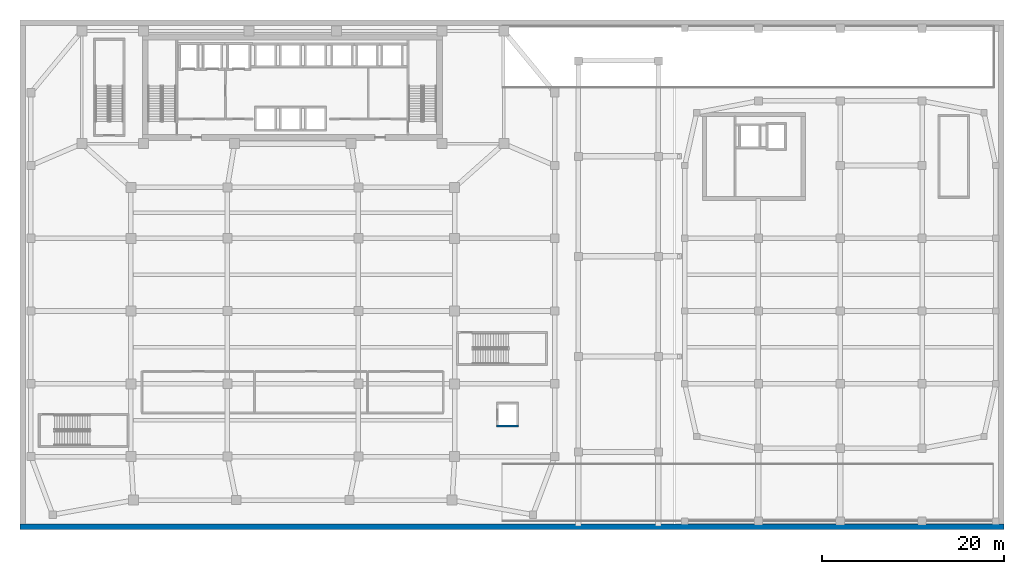
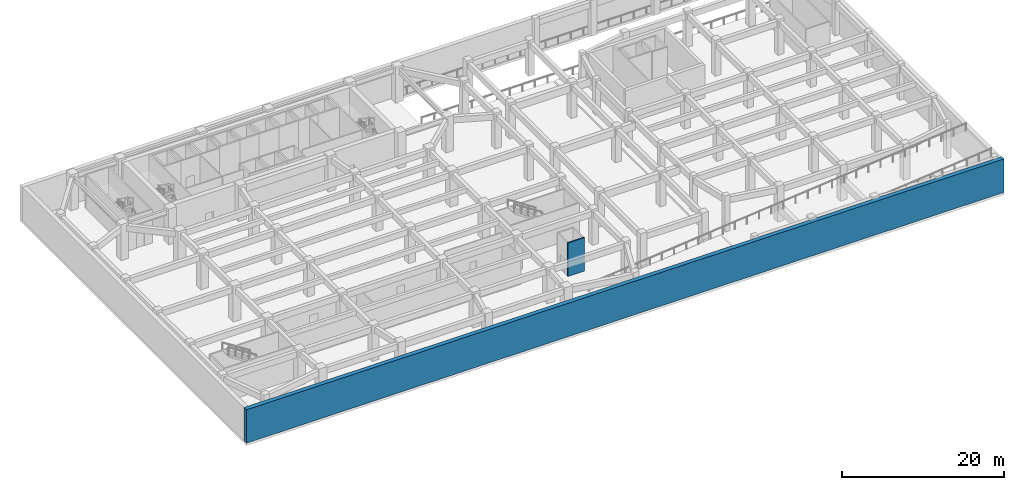
# One storey, part 5 of 14: 2 walls.
"""IFC4 building model written with IfcOpenShell, lengths in metres."""

from ifc_helpers import new_model, si_unit, direction, frame, frame_2d, origin, place, context, subcontext, project, spatial, rectangle, extrude, material, layer, layer_set, type_object, element, save


model = new_model("IFC4")

# Units and contexts
model_context = context("Model", 3, precision=1e-05, world=origin(), true_north=direction((0.0, 1.0)))
body_context = subcontext(model_context, "Body", "Model", "MODEL_VIEW")
ifc_project = project(units=[si_unit("LENGTHUNIT", "METRE"), si_unit("AREAUNIT", "SQUARE_METRE"), si_unit("VOLUMEUNIT", "CUBIC_METRE"), si_unit("PLANEANGLEUNIT", "RADIAN"), si_unit("MASSUNIT", "GRAM", prefix="KILO")], contexts=[model_context])

# Site, building, storey
site_placement = place(None, origin())
site = spatial("IfcSite", under=ifc_project, at=site_placement, CompositionType="ELEMENT")
building_placement = place(site_placement, origin())
building = spatial("IfcBuilding", under=site, at=building_placement, Name="Saevonmaru Cultural Tower", CompositionType="ELEMENT")
storey_placement = place(building_placement, frame((0.0, 0.0, -5.39990234375)))
storey = spatial("IfcBuildingStorey", under=building, at=storey_placement, Name="B1", CompositionType="ELEMENT", Elevation=-5.39990234375)

# Walls
ifc_material_1 = material(Name="Concrete C50/60", Category="concrete")
ifc_layer_1 = layer(ifc_material_1, 0.60009765625, Name="Concrete C50/60")
ifc_layer_set_1 = layer_set([ifc_layer_1], Name="Concrete C50/60")
wall_type_1 = type_object("IfcWallType", Name="WL-RET-600", PredefinedType="USERDEFINED", material=ifc_layer_set_1)
wall_1_placement = place(storey_placement, frame((0.0, 0.300048828125, 0.0), z_axis=(0.0, 0.0, 1.0), x_axis=(1.0, 0.0, 0.0)))
element("IfcWall", 1, at=wall_1_placement, inside=storey, type_object=wall_type_1, Name="B1 Basement perimeter retaining wall S", ObjectType="RETAININGWALL", PredefinedType="USERDEFINED", context=body_context, shape_type="SweptSolid", body=[
    extrude(rectangle(XDim=108.199951171875, YDim=0.60009765625, at=frame_2d((54.10009765625, 0.0))), origin(), (0.0, 0.0, 1.0), 5.0498046875),
])
ifc_material_2 = material(Name="Concrete C40/50", Category="concrete")
ifc_layer_2 = layer(ifc_material_2, 0.199951171875, Name="Concrete C40/50")
ifc_layer_set_2 = layer_set([ifc_layer_2], Name="Concrete C40/50")
wall_type_2 = type_object("IfcWallType", Name="WL-SHAFT-200", PredefinedType="SHEAR", material=ifc_layer_set_2)
wall_2_placement = place(storey_placement, frame((52.39990234375, 11.35009765625, 0.0), z_axis=(0.0, 0.0, 1.0), x_axis=(1.0, 0.0, 0.0)))
element("IfcWall", 2, at=wall_2_placement, inside=storey, type_object=wall_type_2, Name="B1 Lift SLF-1 Hoistway Wall S", PredefinedType="SHEAR", context=body_context, shape_type="SweptSolid", body=[
    extrude(rectangle(XDim=2.400146484375, YDim=0.199951171875, at=frame_2d((1.2001953125, 0.0))), origin(), (0.0, 0.0, 1.0), 5.0498046875),
])

save(model, "model.ifc")
